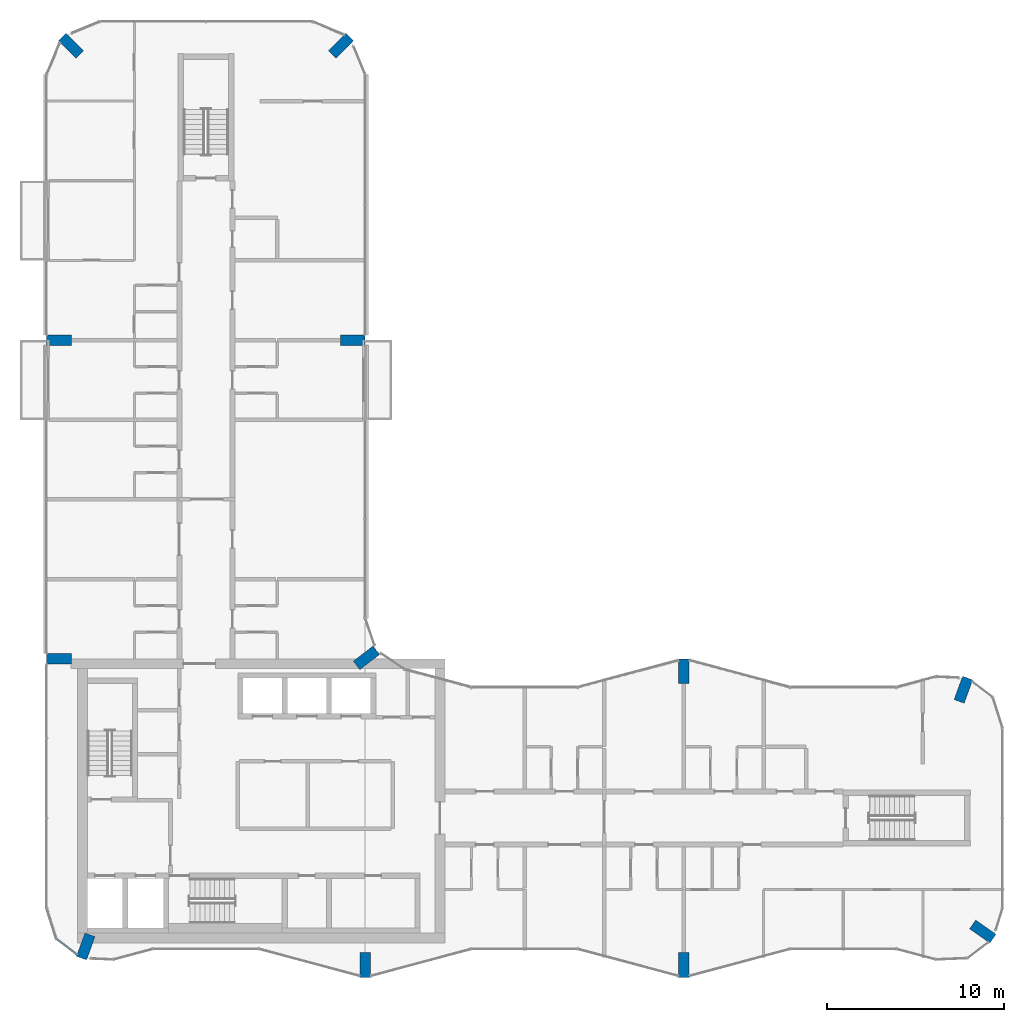
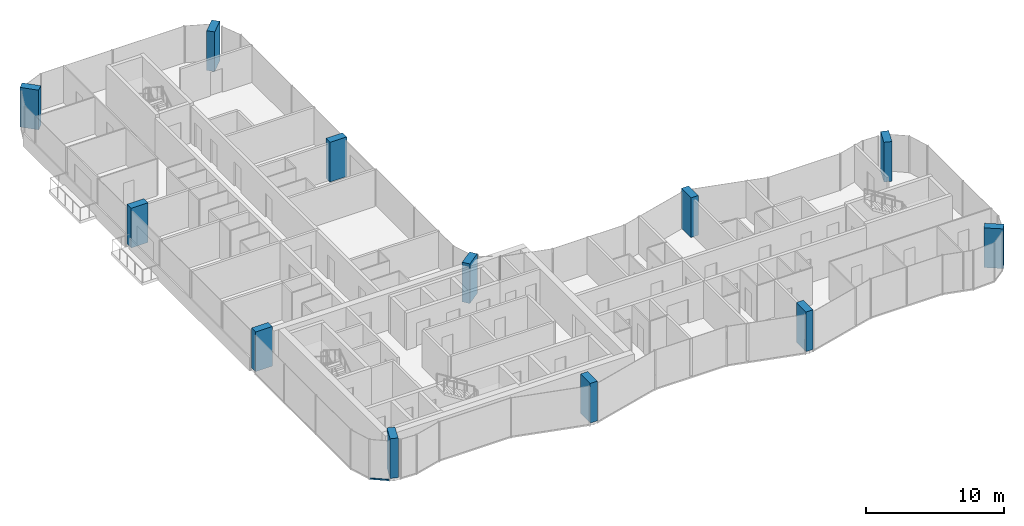
# One storey, part 1 of 15: 12 columns, 1 member, 1 element without a shape of its own.
"""IFC4 building model written with IfcOpenShell, lengths in metres."""

import ifcopenshell
import ifcopenshell.guid

model = None  # the IFC model being written
_history = None  # IfcOwnerHistory: only IFC2X3 demands one
_inside = {}  # id of a spatial element -> (the spatial element, [elements in it])
_under = {}  # id of a project, library or spatial element -> (it, [spatial elements below it])
_declared = {}  # id of a project -> (the project, [libraries it declares])
_typed = {}  # id of a type object -> (the type object, [elements of that type])
_made_of = {}  # id of a material, layer set ... -> (it, [elements and type objects made of it])


def new_model(schema):
    """Start an empty IFC model of exactly this schema.

    Asked for "IFC4X3", IfcOpenShell would pick the latest addendum, in which some entities
    have other attributes; the version numbers below select the first issue.
    IFC2X3 requires an IfcOwnerHistory on every rooted entity: one is made here for all.
    """
    global model, _history
    if schema == "IFC4X3":
        model = ifcopenshell.file(schema_version=(4, 3, 0, 0))
    else:
        model = ifcopenshell.file(schema=schema)
    _inside.clear()
    _under.clear()
    _declared.clear()
    _typed.clear()
    _made_of.clear()
    _history = None
    if model.schema == "IFC2X3":
        org = make("IfcOrganization", Name="unknown")
        user = make(
            "IfcPersonAndOrganization",
            ThePerson=make("IfcPerson", FamilyName="unknown"),
            TheOrganization=org,
        )
        app = make(
            "IfcApplication",
            ApplicationDeveloper=org,
            Version="unknown",
            ApplicationFullName="unknown",
            ApplicationIdentifier="unknown",
        )
        _history = make(
            "IfcOwnerHistory",
            OwningUser=user,
            OwningApplication=app,
            ChangeAction="ADDED",
            CreationDate=0,
        )
    return model


def make(cls, **values):
    """One entity of the class cls with the attributes given. An attribute that is None is left unset."""
    return model.create_entity(
        cls, **{name: value for name, value in values.items() if value is not None}
    )


def rooted(cls, **values):
    """An entity with a GlobalId (a new one), such as an element, a storey or a relation."""
    return make(cls, GlobalId=ifcopenshell.guid.new(), OwnerHistory=_history, **values)


def si_unit(unit_type, name, prefix=None):
    """IfcSIUnit, for example si_unit("LENGTHUNIT", "METRE", prefix="MILLI")."""
    return make("IfcSIUnit", UnitType=unit_type, Prefix=prefix, Name=name)


def assignment(units):
    """IfcUnitAssignment: the units of a project."""
    return None if units is None else make("IfcUnitAssignment", Units=units)


def point(xyz):
    """IfcCartesianPoint."""
    return None if xyz is None else make("IfcCartesianPoint", Coordinates=xyz)


def direction(xyz):
    """IfcDirection."""
    return None if xyz is None else make("IfcDirection", DirectionRatios=xyz)


def frame(location, z_axis=None, x_axis=None):
    """IfcAxis2Placement3D, a coordinate frame: its origin and axes. An axis left out is left unset."""
    return make(
        "IfcAxis2Placement3D",
        Location=point(location),
        Axis=direction(z_axis),
        RefDirection=direction(x_axis),
    )


def frame_2d(location, x_axis=None):
    """IfcAxis2Placement2D, a coordinate frame in the plane: its origin and x axis."""
    return make(
        "IfcAxis2Placement2D", Location=point(location), RefDirection=direction(x_axis)
    )


def origin():
    """The frame at (0, 0, 0) with its axes left unset."""
    return frame((0.0, 0.0, 0.0))


def origin_2d():
    """The frame at (0, 0) in the plane with its x axis left unset."""
    return frame_2d((0.0, 0.0))


def place(relative_to, where):
    """IfcLocalPlacement: puts the frame where relative to a parent placement (None: the world)."""
    return make(
        "IfcLocalPlacement", PlacementRelTo=relative_to, RelativePlacement=where
    )


def context(
    kind, dimensions, precision=None, world=None, true_north=None, identifier=None
):
    """IfcGeometricRepresentationContext, for example the 3D "Model" context."""
    return make(
        "IfcGeometricRepresentationContext",
        ContextIdentifier=identifier,
        ContextType=kind,
        CoordinateSpaceDimension=dimensions,
        Precision=precision,
        WorldCoordinateSystem=world,
        TrueNorth=true_north,
    )


def subcontext(parent, identifier, kind, view, scale=None):
    """IfcGeometricRepresentationSubContext, for example "Body" below "Model"."""
    return make(
        "IfcGeometricRepresentationSubContext",
        ContextIdentifier=identifier,
        ContextType=kind,
        ParentContext=parent,
        TargetScale=scale,
        TargetView=view,
    )


def project(units=None, contexts=None):
    """IfcProject with its units and contexts."""
    return rooted(
        "IfcProject",
        Name="project",
        RepresentationContexts=contexts,
        UnitsInContext=assignment(units),
    )


def spatial(cls, under=None, at=None, **own):
    """A site, building, storey or space (cls), placed at a placement, below another one or the project."""
    s = rooted(cls, ObjectPlacement=at, **own)
    if under is not None:
        _under.setdefault(under.id(), (under, []))[1].append(s)
    return s


def profile(cls, at=None, kind="AREA", **sizes):
    """A parametric profile (cls). Its sizes go by their IFC names, for example OverallWidth=200.0."""
    return make(cls, ProfileType=kind, Position=at, **sizes)


def rectangle(**sizes):
    """IfcRectangleProfileDef."""
    return profile("IfcRectangleProfileDef", **sizes)


def extrude(swept, where, along, depth):
    """IfcExtrudedAreaSolid: the profile swept, set in the frame where, extruded along a direction by depth."""
    return make(
        "IfcExtrudedAreaSolid",
        SweptArea=swept,
        Position=where,
        ExtrudedDirection=direction(along),
        Depth=depth,
    )


def shape(context_of_items, identifier, shape_type, items):
    """IfcShapeRepresentation: the items that make up one representation, for example the "Body"."""
    return make(
        "IfcShapeRepresentation",
        ContextOfItems=context_of_items,
        RepresentationIdentifier=identifier,
        RepresentationType=shape_type,
        Items=items,
    )


def material(Name=None, Category=None):
    """IfcMaterial."""
    return make("IfcMaterial", Name=Name, Category=Category)


def layer(
    of_material, thickness, ventilated=None, Name=None, Category=None, Priority=None
):
    """IfcMaterialLayer: one layer of a wall or slab, of a material (None: an air gap)."""
    return make(
        "IfcMaterialLayer",
        Material=of_material,
        LayerThickness=thickness,
        IsVentilated=ventilated,
        Name=Name,
        Category=Category,
        Priority=Priority,
    )


def layer_set(layers, Name=None):
    """IfcMaterialLayerSet."""
    return make("IfcMaterialLayerSet", MaterialLayers=layers, LayerSetName=Name)


def material_profile(
    of_material, cross_section, Name=None, Category=None, Priority=None
):
    """IfcMaterialProfile: a cross section and its material."""
    return make(
        "IfcMaterialProfile",
        Name=Name,
        Material=of_material,
        Profile=cross_section,
        Priority=Priority,
        Category=Category,
    )


def profile_set(profiles, Name=None, composite=None):
    """IfcMaterialProfileSet."""
    return make(
        "IfcMaterialProfileSet",
        Name=Name,
        MaterialProfiles=profiles,
        CompositeProfile=composite,
    )


def made_of(thing, what):
    """Note that an element or type object is made of a material, layer set ...; save() writes the relation."""
    if what is not None:
        _made_of.setdefault(what.id(), (what, []))[1].append(thing)
    return thing


def type_object(cls, material=None, **own):
    """A type object (cls), such as IfcWallType, which elements share."""
    return made_of(rooted(cls, **own), material)


def element(
    cls,
    number,
    at=None,
    inside=None,
    cuts=None,
    type_object=None,
    material=None,
    context=None,
    identifier="Body",
    shape_type=None,
    held_by="IfcProductDefinitionShape",
    body=None,
    shapes=None,
    **own,
):
    """One element of the class cls, such as IfcWall. Its Tag is "e" and its number.

    at: its placement. inside: the storey or other place that contains it. cuts: it is an
    opening in that element (IfcRelVoidsElement). A single representation is given by context,
    identifier, shape_type and body (its items); several are given by shapes. held_by: the class
    of the entity that holds the representations. save() writes the other relations.
    """
    e = rooted(cls, Tag="e%d" % number, ObjectPlacement=at, **own)
    if body is not None:
        shapes = [shape(context, identifier, shape_type, body)]
    if shapes is not None:
        e.Representation = make(held_by, Representations=shapes)
    if inside is not None:
        _inside.setdefault(inside.id(), (inside, []))[1].append(e)
    if cuts is not None:
        rooted(
            "IfcRelVoidsElement", RelatingBuildingElement=cuts, RelatedOpeningElement=e
        )
    if type_object is not None:
        _typed.setdefault(type_object.id(), (type_object, []))[1].append(e)
    return made_of(e, material)


def aggregate(whole, parts):
    """IfcRelAggregates: a whole, such as a stair, and the parts it consists of."""
    return rooted("IfcRelAggregates", RelatingObject=whole, RelatedObjects=parts)


def save(model, path):
    """Write the relations noted so far, then the file.

    IfcRelAggregates (storeys below a building ...), IfcRelContainedInSpatialStructure (elements
    in a storey), IfcRelDefinesByType, IfcRelAssociatesMaterial and IfcRelDeclares: one each for
    every whole, place, type object, material and project.
    """
    for whole, parts in _under.values():
        aggregate(whole, parts)
    for where, things in _inside.values():
        rooted(
            "IfcRelContainedInSpatialStructure",
            RelatedElements=things,
            RelatingStructure=where,
        )
    for kind, things in _typed.values():
        rooted("IfcRelDefinesByType", RelatedObjects=things, RelatingType=kind)
    for what, things in _made_of.values():
        rooted("IfcRelAssociatesMaterial", RelatedObjects=things, RelatingMaterial=what)
    for by, libraries in _declared.values():
        rooted("IfcRelDeclares", RelatingContext=by, RelatedDefinitions=libraries)
    model.write(path)


model = new_model("IFC4")

# Units and contexts
model_context = context("Model", 3, precision=1e-05, world=origin(), true_north=direction((0.0, 1.0)))
body_context = subcontext(model_context, "Body", "Model", "MODEL_VIEW")
ifc_project = project(units=[si_unit("LENGTHUNIT", "METRE"), si_unit("AREAUNIT", "SQUARE_METRE"), si_unit("VOLUMEUNIT", "CUBIC_METRE"), si_unit("PLANEANGLEUNIT", "RADIAN"), si_unit("MASSUNIT", "GRAM", prefix="KILO")], contexts=[model_context])

# Site, building, storey
site_placement = place(None, origin())
site = spatial("IfcSite", under=ifc_project, at=site_placement, CompositionType="ELEMENT")
building_placement = place(site_placement, origin())
building = spatial("IfcBuilding", under=site, at=building_placement, Name="Plateau Cross Towers", CompositionType="ELEMENT")
storey_placement = place(building_placement, frame((0.0, 0.0, 194.39990234375)))
storey = spatial("IfcBuildingStorey", under=building, at=storey_placement, Name="L50", CompositionType="ELEMENT", Elevation=194.39990234375)

# Columns
ifc_material_1 = material(Name="Concrete C60/75", Category="concrete")
ifc_material_profile_1 = material_profile(ifc_material_1, rectangle(XDim=0.60009765625, YDim=1.39990234375, at=origin_2d()), Name="RC 600x1400")
ifc_profile_set_1 = profile_set([ifc_material_profile_1], Name="Concrete C60/75")
column_type = type_object("IfcColumnType", Name="Fin pier column RC 600x1400", PredefinedType="COLUMN", material=ifc_profile_set_1)
for number, where, z_axis, x_axis, name in (
    (1, (18.0, 0.699951171875, 0.0), (0.0, 0.0, 1.0), (1.0, 0.0, 0.0), "PR1 L50"),
    (2, (36.0, 0.699951171875, 0.0), (0.0, 0.0, 1.0), (1.0, 0.0, 0.0), "PR2 L50"),
    (3, (52.884033203125, 2.590087890625, 0.0), (0.0, 0.0, 1.0), (0.573542637991, 0.819175709117, 0.0), "PR3 L50"),
    (4, (51.786865234375, 16.251953125, 0.0), (0.0, 0.0, 1.0), (-0.939664280925, 0.342097996418, 0.0), "PR4 L50"),
    (5, (36.0, 17.300048828125, 0.0), (0.0, 0.0, 1.0), (1.0, 0.0, 0.0), "PR5 L50"),
    (6, (18.064697265625, 18.049560546875, 0.0), (0.0, 0.0, 1.0), (-0.608810846443, 0.793315418515, 0.0), "PR6 L50"),
    (7, (17.300048828125, 36.0, 0.0), (0.0, 0.0, 1.0), (0.0, 1.0, 0.0), "PR7 L50"),
    (8, (16.62646484375, 52.62646484375, 0.0), (0.0, 0.0, 1.0), (-0.707106781187, 0.707106781187, 0.0), "PR8 L50"),
    (9, (1.37353515625, 52.62646484375, 0.0), (0.0, 0.0, 1.0), (0.707106781187, 0.707106781187, 0.0), "PR9 L50"),
    (10, (0.699951171875, 36.0, 0.0), (0.0, 0.0, 1.0), (0.0, 1.0, 0.0), "PR10 L50"),
    (11, (0.699951171875, 18.0, 0.0), (0.0, 0.0, 1.0), (0.0, 1.0, 0.0), "PR11 L50"),
    (12, (2.213134765625, 1.748046875, 0.0), (0.0, 0.0, 1.0), (-0.939664280925, 0.342097996418, 0.0), "PR12 L50"),
):
    element("IfcColumn", number, at=place(storey_placement, frame(where, z_axis=z_axis, x_axis=x_axis)), inside=storey, type_object=column_type, Name=name, PredefinedType="COLUMN", context=body_context, shape_type="SweptSolid", body=[
        extrude(rectangle(XDim=0.60009765625, YDim=1.39990234375, at=origin_2d()), origin(), (0.0, 0.0, 1.0), 3.5),
    ])

# Curtain wall, member
ifc_material_2 = material(Name="Dark low-iron glass", Category="glass")
ifc_layer = layer(ifc_material_2, 0.239990234375)
ifc_layer_set = layer_set([ifc_layer], Name="Dark low-iron glass")
curtain_wall_type = type_object("IfcCurtainWallType", Name="Curtain wall flush unitised CW-B", PredefinedType="NOTDEFINED", material=ifc_layer_set)
curtain_wall_placement = place(storey_placement, origin())
curtain_wall = element("IfcCurtainWall", 13, at=curtain_wall_placement, inside=storey, type_object=curtain_wall_type, Name="ENV/A/L50/A5_22", PredefinedType="NOTDEFINED")
ifc_material_3 = material(Name="Black anodised aluminium", Category="aluminium")
ifc_material_profile_2 = material_profile(ifc_material_3, rectangle(XDim=0.10009765625, YDim=0.1201171875, at=origin_2d()), Name="TRANSOM 100x120")
ifc_profile_set_2 = profile_set([ifc_material_profile_2], Name="Black anodised aluminium")
member_type = type_object("IfcMemberType", Name="Transom 100x120 flush unitised", PredefinedType="USERDEFINED", material=ifc_profile_set_2)
member_placement = place(storey_placement, frame((0.54248046875, 2.1884765625, -0.18994140625), z_axis=(0.793320508571, -0.608804213751, 0.0), x_axis=(0.608804213751, 0.793320508571, 0.0)))
member = element("IfcMember", 14, at=member_placement, type_object=member_type, Name="CW-B transom", ObjectType="TRANSOM", PredefinedType="USERDEFINED", context=body_context, shape_type="SweptSolid", body=[
    extrude(rectangle(XDim=0.10009765625, YDim=0.1201171875, at=origin_2d()), origin(), (0.0, 0.0, 1.0), 1.471435546875),
])
aggregate(curtain_wall, [member])

save(model, "model.ifc")
